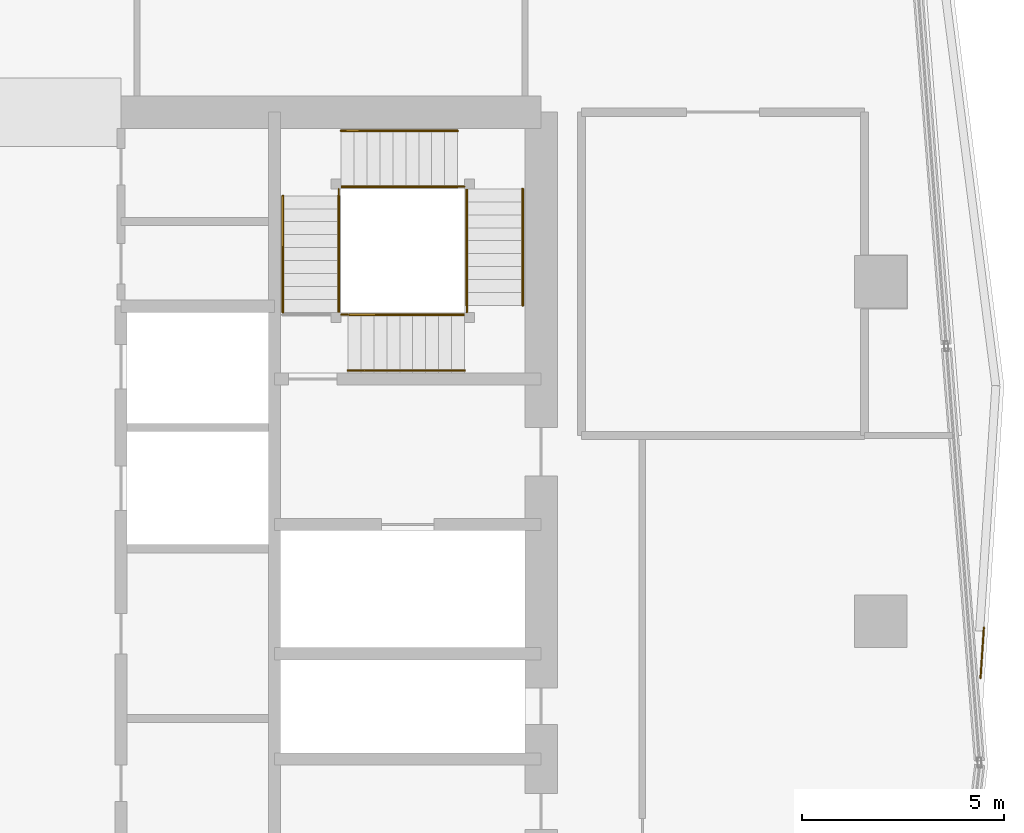
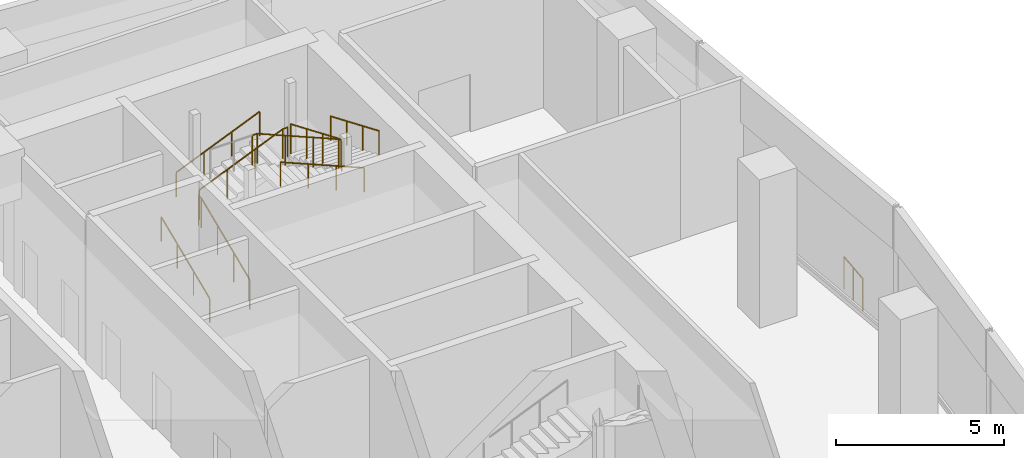
# One storey, part 21 of 22: 13 railings.
"""IFC4 building model written with IfcOpenShell, lengths in metres."""

from ifc_helpers import new_model, si_unit, direction, frame, origin, origin_2d, place, context, subcontext, project, spatial, circle, extrude, material, type_object, element, save


model = new_model("IFC4")

# Units and contexts
model_context = context("Model", 3, precision=1e-05, world=origin(), true_north=direction((0.0, 1.0)))
body_context = subcontext(model_context, "Body", "Model", "MODEL_VIEW")
ifc_project = project(units=[si_unit("LENGTHUNIT", "METRE"), si_unit("AREAUNIT", "SQUARE_METRE"), si_unit("VOLUMEUNIT", "CUBIC_METRE"), si_unit("PLANEANGLEUNIT", "RADIAN"), si_unit("MASSUNIT", "GRAM", prefix="KILO")], contexts=[model_context])

# Site, building, storey
site_placement = place(None, origin())
site = spatial("IfcSite", under=ifc_project, at=site_placement, CompositionType="ELEMENT")
building_placement = place(site_placement, origin())
building = spatial("IfcBuilding", under=site, at=building_placement, Name="Rekha Terrace Tower", CompositionType="ELEMENT")
storey_placement = place(building_placement, frame((0.0, 0.0, 291.35009765625)))
storey = spatial("IfcBuildingStorey", under=building, at=storey_placement, Name="L74", CompositionType="ELEMENT", Elevation=291.35009765625)

# Railings
ifc_material_1 = material(Name="Stainless steel balustrade", Category="steel")
railing_type_1 = type_object("IfcRailingType", Name="GR1 1100 stair guard", PredefinedType="GUARDRAIL", material=ifc_material_1)
railing_1_placement = place(storey_placement, frame((45.389892578125, 41.25, 0.135009765625)))
element("IfcRailing", 1, at=railing_1_placement, inside=storey, type_object=railing_type_1, Name="Guard ST2 L74 flight 1", PredefinedType="GUARDRAIL", context=body_context, shape_type="SweptSolid", body=[
    extrude(circle(Radius=0.02392578125, at=origin_2d()), frame((0.0, 0.0, 1.076171875), z_axis=(0.0, 0.921376398962, 0.388671495527), x_axis=(-1.0, 0.0, 0.0)), (0.0, 0.0, 1.0), 3.125732421875),
    extrude(circle(Radius=0.02099609375, at=origin_2d()), origin(), (0.0, 0.0, 1.0), 1.052001953125),
    extrude(circle(Radius=0.02099609375, at=origin_2d()), frame((0.0, 0.9599609375, 0.405029296875)), (0.0, 0.0, 1.0), 1.052001953125),
    extrude(circle(Radius=0.02099609375, at=origin_2d()), frame((0.0, 1.919921875, 0.809814453125)), (0.0, 0.0, 1.0), 1.052001953125),
    extrude(circle(Radius=0.02099609375, at=origin_2d()), frame((0.0, 2.8798828125, 1.21484375)), (0.0, 0.0, 1.0), 1.052001953125),
])
railing_2_placement = place(storey_placement, frame((45.449951171875, 44.360107421875, 1.48486328125)))
element("IfcRailing", 2, at=railing_2_placement, inside=storey, type_object=railing_type_1, Name="Guard ST2 L74 flight 2", PredefinedType="GUARDRAIL", context=body_context, shape_type="SweptSolid", body=[
    extrude(circle(Radius=0.02392578125, at=origin_2d()), frame((0.0, 0.0, 1.076171875), z_axis=(0.921360227523, 0.0, 0.388709828972), x_axis=(0.0, 1.0, 0.0)), (0.0, 0.0, 1.0), 3.1259765625),
    extrude(circle(Radius=0.02099609375, at=origin_2d()), origin(), (0.0, 0.0, 1.0), 1.052001953125),
    extrude(circle(Radius=0.02099609375, at=origin_2d()), frame((0.9599609375, 0.0, 0.405029296875)), (0.0, 0.0, 1.0), 1.052001953125),
    extrude(circle(Radius=0.02099609375, at=origin_2d()), frame((1.920166015625, 0.0, 0.81005859375)), (0.0, 0.0, 1.0), 1.052001953125),
    extrude(circle(Radius=0.02099609375, at=origin_2d()), frame((2.880126953125, 0.0, 1.215087890625)), (0.0, 0.0, 1.0), 1.052001953125),
])
railing_3_placement = place(storey_placement, frame((48.56005859375, 44.300048828125, 2.8349609375)))
element("IfcRailing", 3, at=railing_3_placement, inside=storey, type_object=railing_type_1, Name="Guard ST2 L74 flight 3", PredefinedType="GUARDRAIL", context=body_context, shape_type="SweptSolid", body=[
    extrude(circle(Radius=0.02392578125, at=origin_2d()), frame((0.0, 0.0, 1.076171875), z_axis=(0.0, -0.9213881973, 0.388643525453), x_axis=(1.0, 0.0, 0.0)), (0.0, 0.0, 1.0), 3.1259765625),
    extrude(circle(Radius=0.02099609375, at=origin_2d()), origin(), (0.0, 0.0, 1.0), 1.052001953125),
    extrude(circle(Radius=0.02099609375, at=origin_2d()), frame((0.0, -0.9599609375, 0.405029296875)), (0.0, 0.0, 1.0), 1.052001953125),
    extrude(circle(Radius=0.02099609375, at=origin_2d()), frame((0.0, -1.920166015625, 0.809814453125)), (0.0, 0.0, 1.0), 1.052001953125),
    extrude(circle(Radius=0.02099609375, at=origin_2d()), frame((0.0, -2.880126953125, 1.21484375)), (0.0, 0.0, 1.0), 1.052001953125),
])
railing_4_placement = place(storey_placement, frame((48.5, 41.18994140625, 4.184814453125)))
element("IfcRailing", 4, at=railing_4_placement, inside=storey, type_object=railing_type_1, Name="Guard ST2 L74 flight 4", PredefinedType="GUARDRAIL", context=body_context, shape_type="SweptSolid", body=[
    extrude(circle(Radius=0.02392578125, at=origin_2d()), frame((0.0, 0.0, 1.076171875), z_axis=(-0.921348425517, 0.0, 0.388737802119), x_axis=(0.0, -1.0, 0.0)), (0.0, 0.0, 1.0), 3.125732421875),
    extrude(circle(Radius=0.02099609375, at=origin_2d()), origin(), (0.0, 0.0, 1.0), 1.052001953125),
    extrude(circle(Radius=0.02099609375, at=origin_2d()), frame((-0.9599609375, 0.0, 0.405029296875)), (0.0, 0.0, 1.0), 1.052001953125),
    extrude(circle(Radius=0.02099609375, at=origin_2d()), frame((-1.919921875, 0.0, 0.81005859375)), (0.0, 0.0, 1.0), 1.052001953125),
    extrude(circle(Radius=0.02099609375, at=origin_2d()), frame((-2.8798828125, 0.0, 1.215087890625)), (0.0, 0.0, 1.0), 1.052001953125),
])
railing_5_placement = place(storey_placement, frame((45.389892578125, 44.1298828125, 1.349853515625)))
element("IfcRailing", 5, at=railing_5_placement, inside=storey, type_object=railing_type_1, Name="Guard ST2 L74 landing 1", PredefinedType="GUARDRAIL", context=body_context, shape_type="SweptSolid", body=[
    extrude(circle(Radius=0.02392578125, at=origin_2d()), frame((0.0, 0.0, 1.076171875), z_axis=(0.0, 1.0, 0.0), x_axis=(-1.0, 0.0, 0.0)), (0.0, 0.0, 1.0), 0.170166015625),
    extrude(circle(Radius=0.02099609375, at=origin_2d()), origin(), (0.0, 0.0, 1.0), 1.052001953125),
    extrude(circle(Radius=0.02099609375, at=origin_2d()), frame((0.0, 0.170166015625, 0.0)), (0.0, 0.0, 1.0), 1.052001953125),
])
railing_6_placement = place(storey_placement, frame((48.330078125, 44.360107421875, 2.699951171875)))
element("IfcRailing", 6, at=railing_6_placement, inside=storey, type_object=railing_type_1, Name="Guard ST2 L74 landing 2", PredefinedType="GUARDRAIL", context=body_context, shape_type="SweptSolid", body=[
    extrude(circle(Radius=0.02392578125, at=origin_2d()), frame((0.0, 0.0, 1.076171875), z_axis=(1.0, 0.0, 0.0), x_axis=(0.0, 1.0, 0.0)), (0.0, 0.0, 1.0), 0.169921875),
    extrude(circle(Radius=0.02099609375, at=origin_2d()), origin(), (0.0, 0.0, 1.0), 1.052001953125),
    extrude(circle(Radius=0.02099609375, at=origin_2d()), frame((0.169921875, 0.0, 0.0)), (0.0, 0.0, 1.0), 1.052001953125),
])
railing_7_placement = place(storey_placement, frame((48.56005859375, 41.25, 4.0498046875)))
element("IfcRailing", 7, at=railing_7_placement, inside=storey, type_object=railing_type_1, Name="Guard ST2 L74 landing 3", PredefinedType="GUARDRAIL", context=body_context, shape_type="SweptSolid", body=[
    extrude(circle(Radius=0.02392578125, at=origin_2d()), frame((0.0, 0.0, 1.076171875), z_axis=(0.0, 1.0, 0.0), x_axis=(-1.0, 0.0, 0.0)), (0.0, 0.0, 1.0), 0.169921875),
    extrude(circle(Radius=0.02099609375, at=origin_2d()), origin(), (0.0, 0.0, 1.0), 1.052001953125),
    extrude(circle(Radius=0.02099609375, at=origin_2d()), frame((0.0, 0.169921875, 0.0)), (0.0, 0.0, 1.0), 1.052001953125),
])
railing_8_placement = place(storey_placement, frame((45.449951171875, 41.18994140625, 5.39990234375)))
element("IfcRailing", 8, at=railing_8_placement, inside=storey, type_object=railing_type_1, Name="Guard ST2 L74 landing 4", PredefinedType="GUARDRAIL", context=body_context, shape_type="SweptSolid", body=[
    extrude(circle(Radius=0.02392578125, at=origin_2d()), frame((0.0, 0.0, 1.076171875), z_axis=(1.0, 0.0, 0.0), x_axis=(0.0, 1.0, 0.0)), (0.0, 0.0, 1.0), 0.170166015625),
    extrude(circle(Radius=0.02099609375, at=origin_2d()), origin(), (0.0, 0.0, 1.0), 1.052001953125),
    extrude(circle(Radius=0.02099609375, at=origin_2d()), frame((0.170166015625, 0.0, 0.0)), (0.0, 0.0, 1.0), 1.052001953125),
])
ifc_material_2 = material(Name="Steel guard with vertical balusters", Category="steel")
railing_type_2 = type_object("IfcRailingType", Name="GR2 refuge area guard 1200", PredefinedType="GUARDRAIL", material=ifc_material_2)
railing_9_placement = place(storey_placement, frame((61.2685546875, 32.1962890625, 0.0)))
element("IfcRailing", 9, at=railing_9_placement, inside=storey, type_object=railing_type_2, Name="Ledge corner guard", PredefinedType="GUARDRAIL", context=body_context, shape_type="SweptSolid", body=[
    extrude(circle(Radius=0.02392578125, at=origin_2d()), frame((0.0, 0.0, 1.17578125), z_axis=(0.06637772236, 0.99779456702, 0.0), x_axis=(-0.99779456702, 0.06637772236, 0.0)), (0.0, 0.0, 1.0), 1.261474609375),
    extrude(circle(Radius=0.02099609375, at=origin_2d()), origin(), (0.0, 0.0, 1.0), 1.15185546875),
    extrude(circle(Radius=0.02099609375, at=origin_2d()), frame((0.0419921875, 0.62939453125, 0.0)), (0.0, 0.0, 1.0), 1.15185546875),
    extrude(circle(Radius=0.02099609375, at=origin_2d()), frame((0.083740234375, 1.2587890625, 0.0)), (0.0, 0.0, 1.0), 1.15185546875),
])
ifc_material_3 = material(Name="Stainless steel tube", Category="steel")
railing_type_3 = type_object("IfcRailingType", Name="HR1 900 stair handrail", PredefinedType="HANDRAIL", material=ifc_material_3)
railing_10_placement = place(storey_placement, frame((44.010009765625, 41.25, 0.135009765625)))
element("IfcRailing", 10, at=railing_10_placement, inside=storey, type_object=railing_type_3, Name="Handrail ST2 L74 flight 1", PredefinedType="HANDRAIL", context=body_context, shape_type="SweptSolid", body=[
    extrude(circle(Radius=0.02392578125, at=origin_2d()), frame((0.0, 0.0, 0.8759765625), z_axis=(0.0, 0.921376398962, 0.388671495527), x_axis=(-1.0, 0.0, 0.0)), (0.0, 0.0, 1.0), 3.125732421875),
    extrude(circle(Radius=0.02099609375, at=origin_2d()), origin(), (0.0, 0.0, 1.0), 0.851806640625),
    extrude(circle(Radius=0.02099609375, at=origin_2d()), frame((0.0, 0.9599609375, 0.405029296875)), (0.0, 0.0, 1.0), 0.851806640625),
    extrude(circle(Radius=0.02099609375, at=origin_2d()), frame((0.0, 1.919921875, 0.809814453125)), (0.0, 0.0, 1.0), 0.851806640625),
    extrude(circle(Radius=0.02099609375, at=origin_2d()), frame((0.0, 2.8798828125, 1.21484375)), (0.0, 0.0, 1.0), 0.851806640625),
])
railing_11_placement = place(storey_placement, frame((45.449951171875, 45.739990234375, 1.48486328125)))
element("IfcRailing", 11, at=railing_11_placement, inside=storey, type_object=railing_type_3, Name="Handrail ST2 L74 flight 2", PredefinedType="HANDRAIL", context=body_context, shape_type="SweptSolid", body=[
    extrude(circle(Radius=0.02392578125, at=origin_2d()), frame((0.0, 0.0, 0.8759765625), z_axis=(0.921360227523, 0.0, 0.388709828972), x_axis=(0.0, 1.0, 0.0)), (0.0, 0.0, 1.0), 3.1259765625),
    extrude(circle(Radius=0.02099609375, at=origin_2d()), origin(), (0.0, 0.0, 1.0), 0.851806640625),
    extrude(circle(Radius=0.02099609375, at=origin_2d()), frame((0.9599609375, 0.0, 0.405029296875)), (0.0, 0.0, 1.0), 0.851806640625),
    extrude(circle(Radius=0.02099609375, at=origin_2d()), frame((1.920166015625, 0.0, 0.81005859375)), (0.0, 0.0, 1.0), 0.851806640625),
    extrude(circle(Radius=0.02099609375, at=origin_2d()), frame((2.880126953125, 0.0, 1.215087890625)), (0.0, 0.0, 1.0), 0.851806640625),
])
railing_12_placement = place(storey_placement, frame((49.93994140625, 44.300048828125, 2.8349609375)))
element("IfcRailing", 12, at=railing_12_placement, inside=storey, type_object=railing_type_3, Name="Handrail ST2 L74 flight 3", PredefinedType="HANDRAIL", context=body_context, shape_type="SweptSolid", body=[
    extrude(circle(Radius=0.02392578125, at=origin_2d()), frame((0.0, 0.0, 0.8759765625), z_axis=(0.0, -0.9213881973, 0.388643525453), x_axis=(1.0, 0.0, 0.0)), (0.0, 0.0, 1.0), 3.1259765625),
    extrude(circle(Radius=0.02099609375, at=origin_2d()), origin(), (0.0, 0.0, 1.0), 0.851806640625),
    extrude(circle(Radius=0.02099609375, at=origin_2d()), frame((0.0, -0.9599609375, 0.405029296875)), (0.0, 0.0, 1.0), 0.851806640625),
    extrude(circle(Radius=0.02099609375, at=origin_2d()), frame((0.0, -1.920166015625, 0.809814453125)), (0.0, 0.0, 1.0), 0.851806640625),
    extrude(circle(Radius=0.02099609375, at=origin_2d()), frame((0.0, -2.880126953125, 1.21484375)), (0.0, 0.0, 1.0), 0.851806640625),
])
railing_13_placement = place(storey_placement, frame((48.5, 39.81005859375, 4.184814453125)))
element("IfcRailing", 13, at=railing_13_placement, inside=storey, type_object=railing_type_3, Name="Handrail ST2 L74 flight 4", PredefinedType="HANDRAIL", context=body_context, shape_type="SweptSolid", body=[
    extrude(circle(Radius=0.02392578125, at=origin_2d()), frame((0.0, 0.0, 0.8759765625), z_axis=(-0.921348425517, 0.0, 0.388737802119), x_axis=(0.0, -1.0, 0.0)), (0.0, 0.0, 1.0), 3.125732421875),
    extrude(circle(Radius=0.02099609375, at=origin_2d()), origin(), (0.0, 0.0, 1.0), 0.851806640625),
    extrude(circle(Radius=0.02099609375, at=origin_2d()), frame((-0.9599609375, 0.0, 0.405029296875)), (0.0, 0.0, 1.0), 0.851806640625),
    extrude(circle(Radius=0.02099609375, at=origin_2d()), frame((-1.919921875, 0.0, 0.81005859375)), (0.0, 0.0, 1.0), 0.851806640625),
    extrude(circle(Radius=0.02099609375, at=origin_2d()), frame((-2.8798828125, 0.0, 1.215087890625)), (0.0, 0.0, 1.0), 0.851806640625),
])

save(model, "model.ifc")
